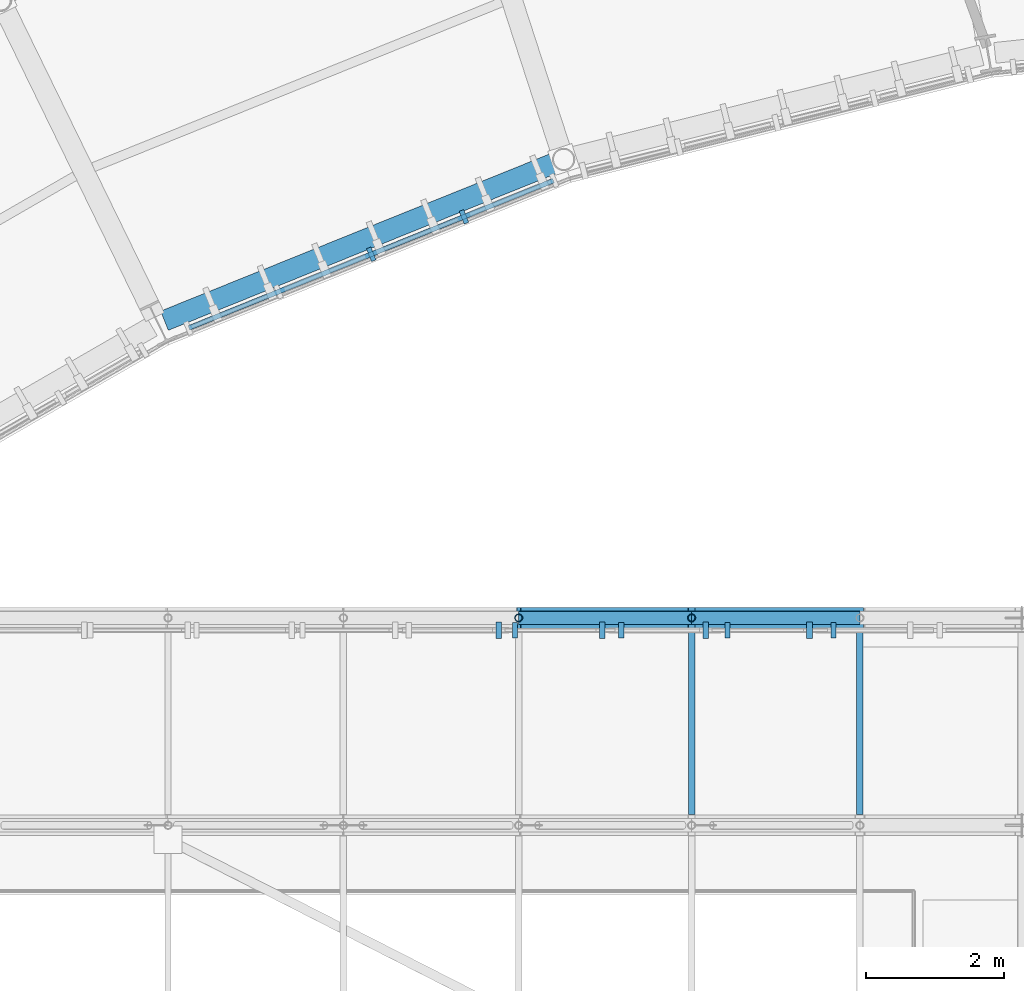
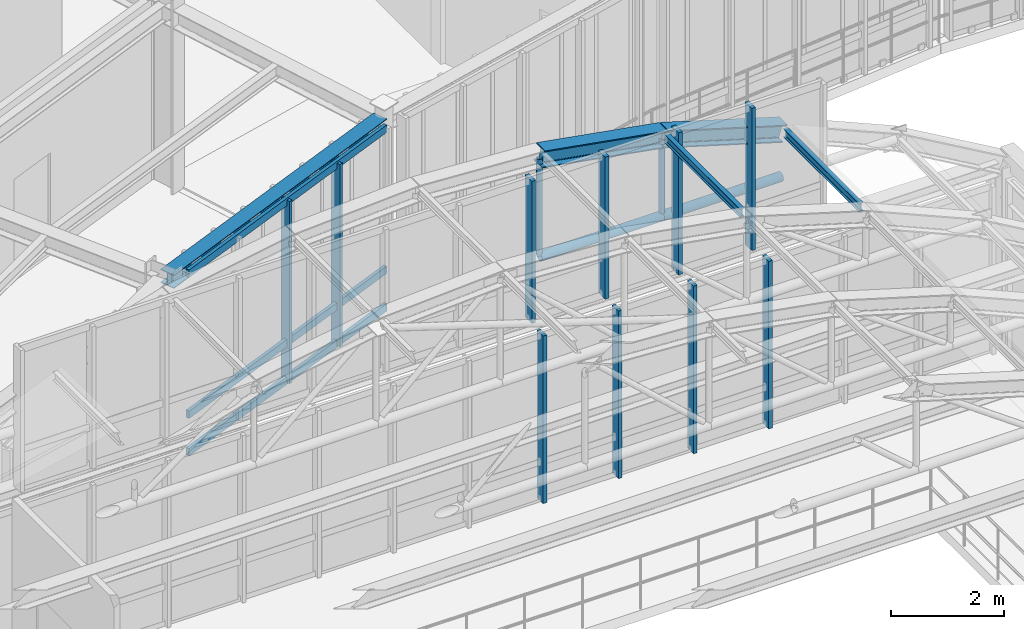
# One storey, part 74 of 148: 17 members, 5 beams, 3 elements without a shape of their own.
"""IFC4 building model written with IfcOpenShell, lengths in metres."""

from ifc_helpers import new_model, si_unit, direction, frame, origin, origin_2d, place, context, subcontext, project, spatial, rectangle, hollow_circle, i_section, extrude, material, layer, layer_set, material_profile, profile_set, type_object, element, aggregate, save


model = new_model("IFC4")

# Units and contexts
model_context = context("Model", 3, precision=1e-05, world=origin(), true_north=direction((0.0, 1.0)))
body_context = subcontext(model_context, "Body", "Model", "MODEL_VIEW")
ifc_project = project(units=[si_unit("LENGTHUNIT", "METRE"), si_unit("AREAUNIT", "SQUARE_METRE"), si_unit("VOLUMEUNIT", "CUBIC_METRE"), si_unit("PLANEANGLEUNIT", "RADIAN"), si_unit("MASSUNIT", "GRAM", prefix="KILO"), si_unit("THERMODYNAMICTEMPERATUREUNIT", "KELVIN"), si_unit("POWERUNIT", "WATT")], contexts=[model_context])

# Site, building, storey
site_placement = place(None, origin())
site = spatial("IfcSite", under=ifc_project, at=site_placement, CompositionType="ELEMENT")
building_placement = place(site_placement, origin())
building = spatial("IfcBuilding", under=site, at=building_placement, Name="Solvatero Civic Police Headquarters", CompositionType="ELEMENT")
storey_placement = place(building_placement, frame((0.0, 0.0, 5.10009765625)))
storey = spatial("IfcBuildingStorey", under=building, at=storey_placement, Name="L01", CompositionType="ELEMENT", Elevation=5.10009765625)

# Beams
ifc_material_1 = material(Name="Steel S355", Category="steel")
ifc_material_profile_1 = material_profile(ifc_material_1, i_section(OverallWidth=0.300048828125, OverallDepth=0.2900390625, WebThickness=0.008544921875, FlangeThickness=0.013916015625, FilletRadius=0.027099609375, at=origin_2d()), Name="HEA 300")
ifc_profile_set_1 = profile_set([ifc_material_profile_1], Name="Steel S355")
beam_type_1 = type_object("IfcBeamType", Name="BM-ST-HEA300", PredefinedType="SPANDREL", material=ifc_profile_set_1)
beam_1_placement = place(storey_placement, frame((79.893310546875, 69.093017578125, 3.8349609375), z_axis=(-0.927182224478, -0.374610628001, 0.0), x_axis=(0.374610628001, -0.927182224478, 0.0)))
element("IfcBeam", 1, at=beam_1_placement, inside=storey, type_object=beam_type_1, Name="Perimeter / radial spandrel beam BM-R2-L01-ARC-CIN-B04", PredefinedType="SPANDREL", context=body_context, shape_type="SweptSolid", body=[
    extrude(i_section(OverallWidth=0.300048828125, OverallDepth=0.2900390625, WebThickness=0.008544921875, FlangeThickness=0.013916015625, FilletRadius=0.027099609375, at=origin_2d()), origin(), (0.0, 0.0, 1.0), 6.126708984375),
])
ifc_material_profile_2 = material_profile(ifc_material_1, i_section(OverallWidth=0.300048828125, OverallDepth=0.360107421875, WebThickness=0.012451171875, FlangeThickness=0.0224609375, FilletRadius=0.027099609375, at=origin_2d()), Name="HEB 360")
ifc_profile_set_2 = profile_set([ifc_material_profile_2], Name="Steel S355")
beam_type_2 = type_object("IfcBeamType", Name="BM-ST-HEB360", PredefinedType="BEAM", material=ifc_profile_set_2)
beam_2_placement = place(storey_placement, frame((79.335693359375, 62.5, 7.31591796875), z_axis=(0.984752581279, 0.0, -0.173960781975), x_axis=(0.0, 1.0, 0.0)))
element("IfcBeam", 2, at=beam_2_placement, inside=storey, type_object=beam_type_2, Name="VLT2 Tied-Arch Vault Top Chord F8.7", PredefinedType="BEAM", context=body_context, shape_type="SweptSolid", body=[
    extrude(i_section(OverallWidth=0.300048828125, OverallDepth=0.360107421875, WebThickness=0.012451171875, FlangeThickness=0.0224609375, FilletRadius=0.027099609375, at=origin_2d()), origin(), (0.0, 0.0, 1.0), 2.540283203125),
])
beam_3_placement = place(storey_placement, frame((81.837158203125, 62.5, 6.8740234375), z_axis=(0.957813056997, 0.0, -0.287391975958), x_axis=(0.0, 1.0, 0.0)))
element("IfcBeam", 3, at=beam_3_placement, inside=storey, type_object=beam_type_2, Name="VLT2 Tied-Arch Vault Top Chord F8.8", PredefinedType="BEAM", context=body_context, shape_type="SweptSolid", body=[
    extrude(i_section(OverallWidth=0.300048828125, OverallDepth=0.360107421875, WebThickness=0.012451171875, FlangeThickness=0.0224609375, FilletRadius=0.027099609375, at=origin_2d()), origin(), (0.0, 0.0, 1.0), 2.5400390625),
])
ifc_material_profile_3 = material_profile(ifc_material_1, i_section(OverallWidth=0.091064453125, OverallDepth=0.179931640625, WebThickness=0.00537109375, FlangeThickness=0.008056640625, FilletRadius=0.009033203125, at=origin_2d()), Name="IPE 180")
ifc_profile_set_3 = profile_set([ifc_material_profile_3], Name="Steel S355")
beam_type_3 = type_object("IfcBeamType", Name="BM-ST-IPE180", PredefinedType="JOIST", material=ifc_profile_set_3)
for number, where, z_axis, x_axis, name in (
    (4, (81.837158203125, 59.657958984375, 6.927978515625), (0.0, 1.0, 0.0), (-1.0, 0.0, 0.0), "VLT2 Vault Roof Purlin B7.7"),
    (5, (84.27001953125, 59.657958984375, 6.19091796875), (0.0, 1.0, 0.0), (-1.0, 0.0, 0.0), "VLT2 Vault Roof Purlin B7.8"),
):
    element("IfcBeam", number, at=place(storey_placement, frame(where, z_axis=z_axis, x_axis=x_axis)), inside=storey, type_object=beam_type_3, Name=name, PredefinedType="JOIST", context=body_context, shape_type="SweptSolid", body=[
        extrude(i_section(OverallWidth=0.091064453125, OverallDepth=0.179931640625, WebThickness=0.00537109375, FlangeThickness=0.008056640625, FilletRadius=0.009033203125, at=origin_2d()), origin(), (0.0, 0.0, 1.0), 2.68408203125),
    ])

# Curtain wall, members
ifc_material_2 = material(Name="Anodized Bronze Aluminium", Category="aluminium")
ifc_layer_1 = layer(ifc_material_2, 0.179931640625)
ifc_layer_set_1 = layer_set([ifc_layer_1], Name="Anodized Bronze Aluminium")
curtain_wall_type_1 = type_object("IfcCurtainWallType", Name="CW-VLT-TYMP", PredefinedType="USERDEFINED", material=ifc_layer_set_1)
curtain_wall_1_placement = place(storey_placement, origin())
curtain_wall_1 = element("IfcCurtainWall", 6, at=curtain_wall_1_placement, inside=storey, type_object=curtain_wall_type_1, Name="Curtain Wall CW-R2-L01-VLT2-N", ObjectType="UNITISED", PredefinedType="USERDEFINED")
ifc_material_profile_4 = material_profile(ifc_material_2, rectangle(XDim=0.080078125, YDim=0.239990234375, at=origin_2d()), Name="ALU MULLION 80x240")
ifc_profile_set_4 = profile_set([ifc_material_profile_4], Name="Anodized Bronze Aluminium")
member_type_1 = type_object("IfcMemberType", Name="CWM-140x60", PredefinedType="MULLION", material=ifc_profile_set_4)
member_1_placement = place(storey_placement, frame((79.04736328125, 62.320068359375, 3.97998046875), z_axis=(0.0, 0.0, 1.0), x_axis=(1.0, 0.0, 0.0)))
member_1 = element("IfcMember", 7, at=member_1_placement, type_object=member_type_1, Name="CW-R2-L01-VLT2-N Mullion 8", PredefinedType="MULLION", context=body_context, shape_type="SweptSolid", body=[
    extrude(rectangle(XDim=0.080078125, YDim=0.239990234375, at=origin_2d()), origin(), (0.0, 0.0, 1.0), 3.06982421875),
])
member_2_placement = place(storey_placement, frame((80.54541015625, 62.320068359375, 3.97998046875), z_axis=(0.0, 0.0, 1.0), x_axis=(1.0, 0.0, 0.0)))
member_2 = element("IfcMember", 8, at=member_2_placement, type_object=member_type_1, Name="CW-R2-L01-VLT2-N Mullion 9", PredefinedType="MULLION", context=body_context, shape_type="SweptSolid", body=[
    extrude(rectangle(XDim=0.080078125, YDim=0.239990234375, at=origin_2d()), origin(), (0.0, 0.0, 1.0), 3.06982421875),
])
member_3_placement = place(storey_placement, frame((82.043701171875, 62.320068359375, 3.97998046875), z_axis=(0.0, 0.0, 1.0), x_axis=(1.0, 0.0, 0.0)))
member_3 = element("IfcMember", 9, at=member_3_placement, type_object=member_type_1, Name="CW-R2-L01-VLT2-N Mullion 10", PredefinedType="MULLION", context=body_context, shape_type="SweptSolid", body=[
    extrude(rectangle(XDim=0.080078125, YDim=0.239990234375, at=origin_2d()), origin(), (0.0, 0.0, 1.0), 3.06982421875),
])
member_4_placement = place(storey_placement, frame((83.541748046875, 62.320068359375, 3.97998046875), z_axis=(0.0, 0.0, 1.0), x_axis=(1.0, 0.0, 0.0)))
member_4 = element("IfcMember", 10, at=member_4_placement, type_object=member_type_1, Name="CW-R2-L01-VLT2-N Mullion 11", PredefinedType="MULLION", context=body_context, shape_type="SweptSolid", body=[
    extrude(rectangle(XDim=0.080078125, YDim=0.239990234375, at=origin_2d()), origin(), (0.0, 0.0, 1.0), 3.06982421875),
])
aggregate(curtain_wall_1, [member_1, member_2, member_3, member_4])

ifc_layer_2 = layer(ifc_material_2, 0.179931640625)
ifc_layer_set_2 = layer_set([ifc_layer_2], Name="Anodized Bronze Aluminium")
curtain_wall_type_2 = type_object("IfcCurtainWallType", Name="CW-ARC-IN", PredefinedType="USERDEFINED", material=ifc_layer_set_2)
curtain_wall_2_placement = place(storey_placement, origin())
curtain_wall_2 = element("IfcCurtainWall", 11, at=curtain_wall_2_placement, inside=storey, type_object=curtain_wall_type_2, Name="Curtain Wall CW-R2-L01-ARC-IN-B04", ObjectType="UNITISED", PredefinedType="USERDEFINED")
ifc_material_profile_5 = material_profile(ifc_material_2, rectangle(XDim=0.070068359375, YDim=0.199951171875, at=origin_2d()), Name="ALU MULLION 70x200")
ifc_profile_set_5 = profile_set([ifc_material_profile_5], Name="Anodized Bronze Aluminium")
member_type_2 = type_object("IfcMemberType", Name="CWM-220x80", PredefinedType="MULLION", material=ifc_profile_set_5)
member_5_placement = place(storey_placement, frame((78.5439453125, 68.30029296875, 0.0), z_axis=(0.0, 0.0, 1.0), x_axis=(-0.927183854567, -0.374606593416, 0.0)))
member_5 = element("IfcMember", 12, at=member_5_placement, type_object=member_type_2, Name="CW-R2-L01-ARC-IN-B04 Mullion 2", PredefinedType="MULLION", context=body_context, shape_type="SweptSolid", body=[
    extrude(rectangle(XDim=0.070068359375, YDim=0.199951171875, at=origin_2d()), origin(), (0.0, 0.0, 1.0), 3.93994140625),
])
member_6_placement = place(storey_placement, frame((77.202880859375, 67.758544921875, 0.0), z_axis=(0.0, 0.0, 1.0), x_axis=(-0.927183854567, -0.374606593416, 0.0)))
member_6 = element("IfcMember", 13, at=member_6_placement, type_object=member_type_2, Name="CW-R2-L01-ARC-IN-B04 Mullion 3", PredefinedType="MULLION", context=body_context, shape_type="SweptSolid", body=[
    extrude(rectangle(XDim=0.070068359375, YDim=0.199951171875, at=origin_2d()), origin(), (0.0, 0.0, 1.0), 3.93994140625),
])

ifc_layer_3 = layer(ifc_material_2, 0.179931640625)
ifc_layer_set_3 = layer_set([ifc_layer_3], Name="Anodized Bronze Aluminium")
curtain_wall_type_3 = type_object("IfcCurtainWallType", Name="CW-HAL-GLZ", PredefinedType="USERDEFINED", material=ifc_layer_set_3)
curtain_wall_3_placement = place(storey_placement, origin())
curtain_wall_3 = element("IfcCurtainWall", 14, at=curtain_wall_3_placement, inside=storey, type_object=curtain_wall_type_3, Name="Curtain Wall CW-R2-L01-V2-N", ObjectType="UNITISED", PredefinedType="USERDEFINED")
ifc_material_profile_6 = material_profile(ifc_material_2, rectangle(XDim=0.074951171875, YDim=0.219970703125, at=origin_2d()), Name="ALU MULLION 75x220")
ifc_profile_set_6 = profile_set([ifc_material_profile_6], Name="Anodized Bronze Aluminium")
member_type_3 = type_object("IfcMemberType", Name="CWM-250x85", PredefinedType="MULLION", material=ifc_profile_set_6)
member_7_placement = place(storey_placement, frame((79.28271484375, 62.320068359375, 0.0), z_axis=(0.0, 0.0, 1.0), x_axis=(1.0, 0.0, 0.0)))
member_7 = element("IfcMember", 15, at=member_7_placement, type_object=member_type_3, Name="CW-R2-L01-V2-N Mullion 10", PredefinedType="MULLION", context=body_context, shape_type="SweptSolid", body=[
    extrude(rectangle(XDim=0.074951171875, YDim=0.219970703125, at=origin_2d()), origin(), (0.0, 0.0, 1.0), 3.619873046875),
])
member_8_placement = place(storey_placement, frame((80.818603515625, 62.320068359375, 0.0), z_axis=(0.0, 0.0, 1.0), x_axis=(1.0, 0.0, 0.0)))
member_8 = element("IfcMember", 16, at=member_8_placement, type_object=member_type_3, Name="CW-R2-L01-V2-N Mullion 11", PredefinedType="MULLION", context=body_context, shape_type="SweptSolid", body=[
    extrude(rectangle(XDim=0.074951171875, YDim=0.219970703125, at=origin_2d()), origin(), (0.0, 0.0, 1.0), 3.619873046875),
])
member_9_placement = place(storey_placement, frame((82.3544921875, 62.320068359375, 0.0), z_axis=(0.0, 0.0, 1.0), x_axis=(1.0, 0.0, 0.0)))
member_9 = element("IfcMember", 17, at=member_9_placement, type_object=member_type_3, Name="CW-R2-L01-V2-N Mullion 12", PredefinedType="MULLION", context=body_context, shape_type="SweptSolid", body=[
    extrude(rectangle(XDim=0.074951171875, YDim=0.219970703125, at=origin_2d()), origin(), (0.0, 0.0, 1.0), 3.619873046875),
])
member_10_placement = place(storey_placement, frame((83.890380859375, 62.320068359375, 0.0), z_axis=(0.0, 0.0, 1.0), x_axis=(1.0, 0.0, 0.0)))
member_10 = element("IfcMember", 18, at=member_10_placement, type_object=member_type_3, Name="CW-R2-L01-V2-N Mullion 13", PredefinedType="MULLION", context=body_context, shape_type="SweptSolid", body=[
    extrude(rectangle(XDim=0.074951171875, YDim=0.219970703125, at=origin_2d()), origin(), (0.0, 0.0, 1.0), 3.619873046875),
])
aggregate(curtain_wall_3, [member_7, member_8, member_9, member_10])

# Member
ifc_material_profile_7 = material_profile(ifc_material_2, rectangle(XDim=0.070068359375, YDim=0.159912109375, at=origin_2d()), Name="ALU TRANSOM 70x160")
ifc_profile_set_7 = profile_set([ifc_material_profile_7], Name="Anodized Bronze Aluminium")
member_type_4 = type_object("IfcMemberType", Name="CWT-120x55", PredefinedType="USERDEFINED", material=ifc_profile_set_7)
member_11_placement = place(storey_placement, frame((79.83837890625, 68.823486328125, 0.039794921875), z_axis=(-0.927167837352, -0.374646234973, 0.0), x_axis=(0.374646234973, -0.927167837352, 0.0)))
member_11 = element("IfcMember", 19, at=member_11_placement, type_object=member_type_4, Name="CW-R2-L01-ARC-IN-B04 Transom 1", ObjectType="TRANSOM", PredefinedType="USERDEFINED", context=body_context, shape_type="SweptSolid", body=[
    extrude(rectangle(XDim=0.070068359375, YDim=0.159912109375, at=origin_2d()), origin(), (0.0, 0.0, 1.0), 5.68505859375),
])

member_12_placement = place(storey_placement, frame((79.83837890625, 68.823486328125, 0.849853515625), z_axis=(-0.927167837352, -0.374646234973, 0.0), x_axis=(0.374646234973, -0.927167837352, 0.0)))
member_12 = element("IfcMember", 20, at=member_12_placement, type_object=member_type_4, Name="CW-R2-L01-ARC-IN-B04 Transom 2", ObjectType="TRANSOM", PredefinedType="USERDEFINED", context=body_context, shape_type="SweptSolid", body=[
    extrude(rectangle(XDim=0.070068359375, YDim=0.159912109375, at=origin_2d()), origin(), (0.0, 0.0, 1.0), 5.68505859375),
])

member_13_placement = place(storey_placement, frame((79.83837890625, 68.823486328125, 3.89990234375), z_axis=(-0.927167837352, -0.374646234973, 0.0), x_axis=(0.374646234973, -0.927167837352, 0.0)))
member_13 = element("IfcMember", 21, at=member_13_placement, type_object=member_type_4, Name="CW-R2-L01-ARC-IN-B04 Transom 3", ObjectType="TRANSOM", PredefinedType="USERDEFINED", context=body_context, shape_type="SweptSolid", body=[
    extrude(rectangle(XDim=0.070068359375, YDim=0.159912109375, at=origin_2d()), origin(), (0.0, 0.0, 1.0), 5.68505859375),
])

aggregate(curtain_wall_2, [member_5, member_6, member_11, member_12, member_13])

# Members
ifc_material_profile_8 = material_profile(ifc_material_1, hollow_circle(Radius=0.05712890625, WallThickness=0.008056640625, at=origin_2d()), Name="CHS 114.3x8.0")
ifc_profile_set_8 = profile_set([ifc_material_profile_8], Name="Steel S355")
member_type_5 = type_object("IfcMemberType", Name="MB-HNG-CHS114", PredefinedType="STRUT", material=ifc_profile_set_8)
member_14_placement = place(storey_placement, frame((79.335693359375, 62.5, 5.17626953125), z_axis=(0.0, 0.0, 1.0), x_axis=(1.0, 0.0, 0.0)))
element("IfcMember", 22, at=member_14_placement, inside=storey, type_object=member_type_5, Name="VLT2 Vault Vertical Hanger F8.6", PredefinedType="STRUT", context=body_context, shape_type="SweptSolid", body=[
    extrude(hollow_circle(Radius=0.05712890625, WallThickness=0.008056640625, at=origin_2d()), origin(), (0.0, 0.0, 1.0), 2.089599609375),
])
member_15_placement = place(storey_placement, frame((81.837158203125, 62.5, 5.17626953125), z_axis=(0.0, 0.0, 1.0), x_axis=(1.0, 0.0, 0.0)))
element("IfcMember", 23, at=member_15_placement, inside=storey, type_object=member_type_5, Name="VLT2 Vault Vertical Hanger F8.7", PredefinedType="STRUT", context=body_context, shape_type="SweptSolid", body=[
    extrude(hollow_circle(Radius=0.05712890625, WallThickness=0.008056640625, at=origin_2d()), origin(), (0.0, 0.0, 1.0), 1.647705078125),
])
ifc_material_profile_9 = material_profile(ifc_material_1, hollow_circle(Radius=0.096923828125, WallThickness=0.010009765625, at=origin_2d()), Name="CHS 193.7x10.0")
ifc_profile_set_9 = profile_set([ifc_material_profile_9], Name="Steel S355")
member_type_6 = type_object("IfcMemberType", Name="MB-TIE-CHS194", PredefinedType="CHORD", material=ifc_profile_set_9)
member_16_placement = place(storey_placement, frame((79.335693359375, 62.5, 5.13623046875), z_axis=(1.0, 0.0, 0.0), x_axis=(0.0, 1.0, 0.0)))
element("IfcMember", 24, at=member_16_placement, inside=storey, type_object=member_type_6, Name="VLT2 Vault Horizontal Tie Chord F8.6", PredefinedType="CHORD", context=body_context, shape_type="SweptSolid", body=[
    extrude(hollow_circle(Radius=0.096923828125, WallThickness=0.010009765625, at=origin_2d()), origin(), (0.0, 0.0, 1.0), 2.50146484375),
])
member_17_placement = place(storey_placement, frame((81.837158203125, 62.5, 5.13623046875), z_axis=(1.0, 0.0, 0.0), x_axis=(0.0, 1.0, 0.0)))
element("IfcMember", 25, at=member_17_placement, inside=storey, type_object=member_type_6, Name="VLT2 Vault Horizontal Tie Chord F8.7", PredefinedType="CHORD", context=body_context, shape_type="SweptSolid", body=[
    extrude(hollow_circle(Radius=0.096923828125, WallThickness=0.010009765625, at=origin_2d()), origin(), (0.0, 0.0, 1.0), 2.432861328125),
])

save(model, "model.ifc")
